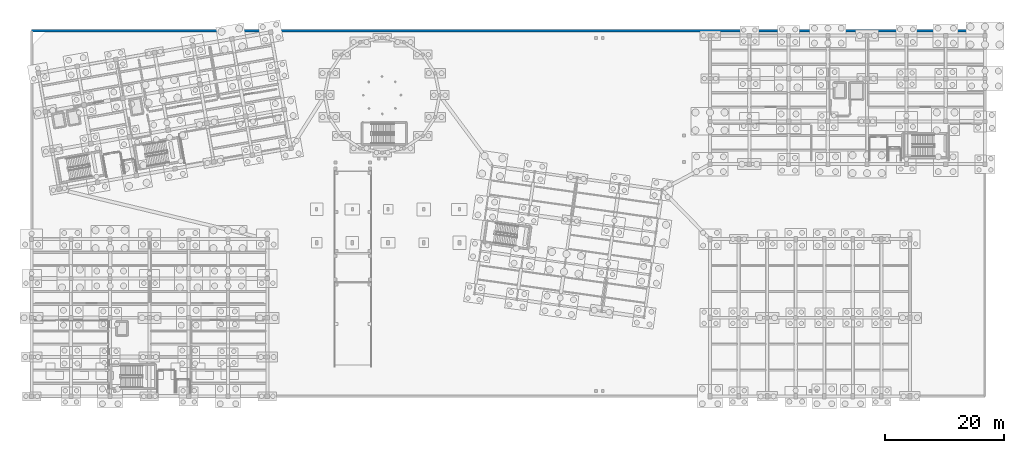
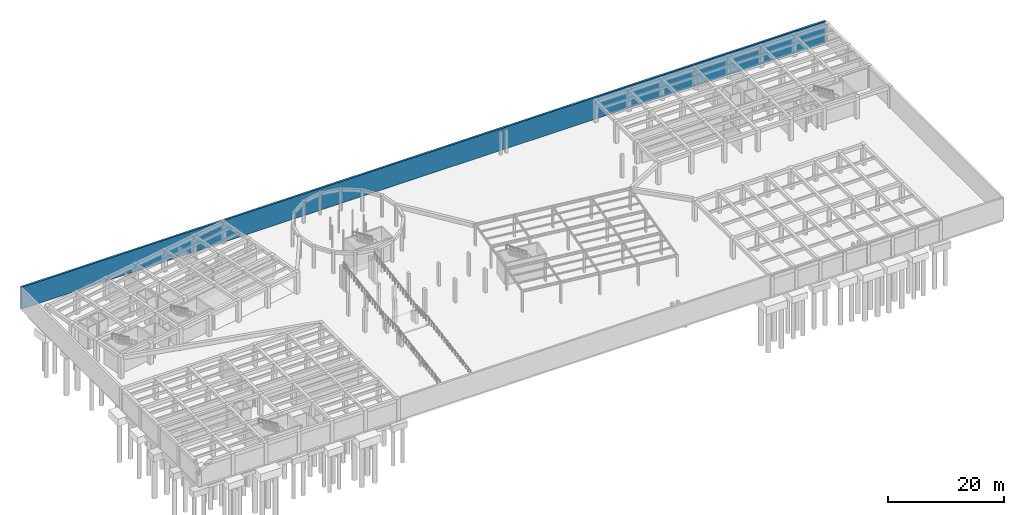
# One storey, part 26 of 34: 1 wall.
"""IFC4 building model written with IfcOpenShell, lengths in metres."""

from ifc_helpers import new_model, si_unit, direction, frame, frame_2d, origin, place, context, subcontext, project, spatial, rectangle, extrude, material, layer, layer_set, type_object, element, save


model = new_model("IFC4")

# Units and contexts
model_context = context("Model", 3, precision=1e-05, world=origin(), true_north=direction((0.0, 1.0)))
body_context = subcontext(model_context, "Body", "Model", "MODEL_VIEW")
ifc_project = project(units=[si_unit("LENGTHUNIT", "METRE"), si_unit("AREAUNIT", "SQUARE_METRE"), si_unit("VOLUMEUNIT", "CUBIC_METRE"), si_unit("PLANEANGLEUNIT", "RADIAN"), si_unit("MASSUNIT", "GRAM", prefix="KILO")], contexts=[model_context])

# Site, building, storey
site_placement = place(None, origin())
site = spatial("IfcSite", under=ifc_project, at=site_placement, CompositionType="ELEMENT")
building_placement = place(site_placement, origin())
building = spatial("IfcBuilding", under=site, at=building_placement, Name="Kharisveld Research Institute", CompositionType="ELEMENT")
storey_placement = place(building_placement, frame((0.0, 0.0, -4.800048828125)))
storey = spatial("IfcBuildingStorey", under=building, at=storey_placement, Name="B1", CompositionType="ELEMENT", Elevation=-4.800048828125)

# Wall
ifc_material = material(Name="Concrete C35/45", Category="concrete")
ifc_layer = layer(ifc_material, 0.39990234375)
ifc_layer_set = layer_set([ifc_layer], Name="WL_RET_400")
wall_type = type_object("IfcWallType", Name="WL_RET_400", PredefinedType="USERDEFINED", material=ifc_layer_set)
wall_placement = place(storey_placement, frame((0.60009765625, 61.60009765625, 0.0), z_axis=(0.0, 0.0, 1.0), x_axis=(1.0, 0.0, 0.0)))
element("IfcWall", 1, at=wall_placement, inside=storey, type_object=wall_type, Name="WL:B1:RET_NORTH", ObjectType="RETAINING WALL", PredefinedType="USERDEFINED", context=body_context, shape_type="SweptSolid", body=[
    extrude(rectangle(XDim=160.199951171875, YDim=0.39990234375, at=frame_2d((80.10009765625, 0.0))), origin(), (0.0, 0.0, 1.0), 4.580078125),
])

save(model, "model.ifc")
